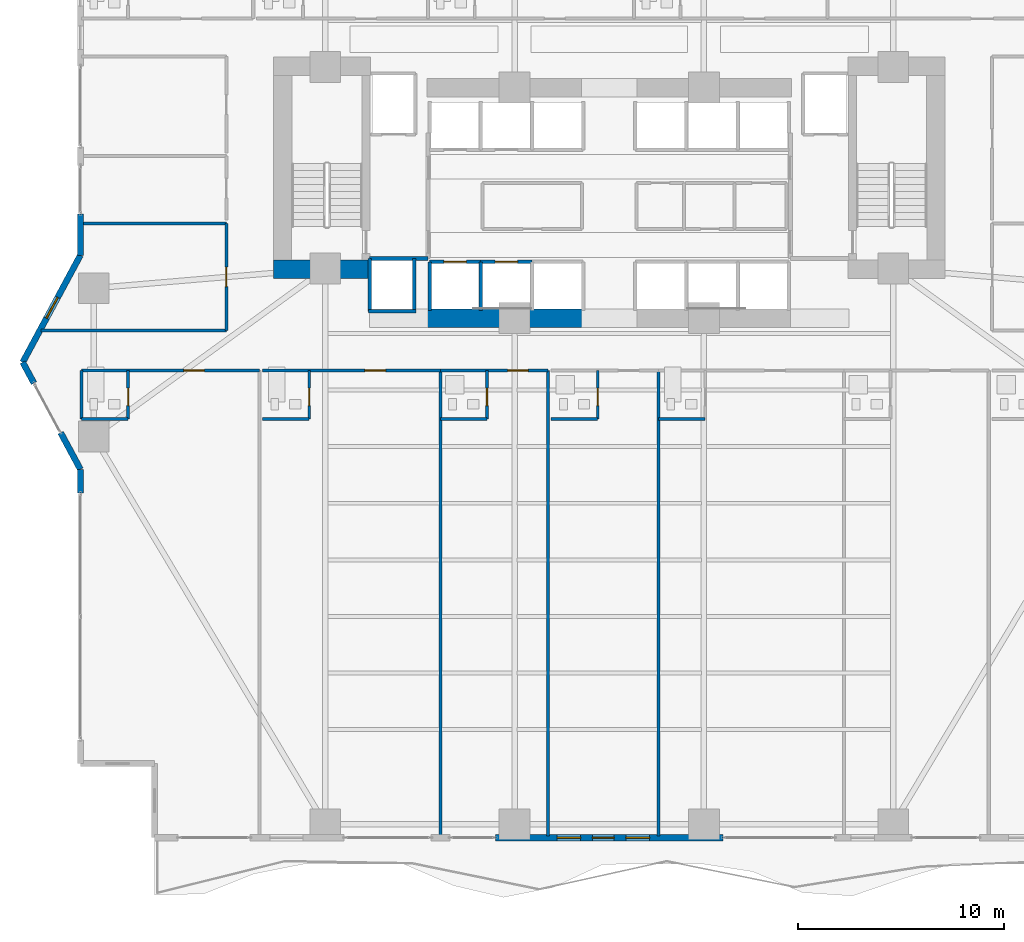
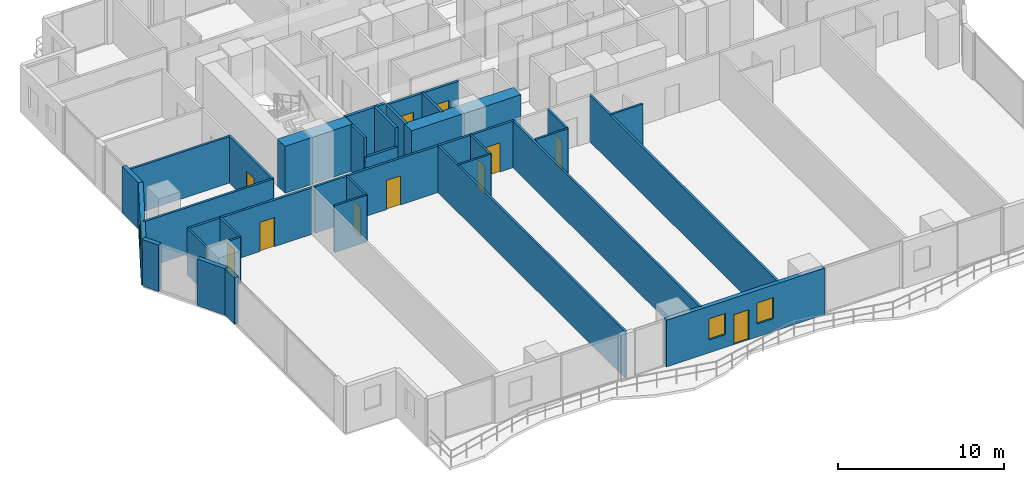
# One storey, part 18 of 29: 35 walls, 11 doors, 3 windows, 14 openings.
"""IFC4 building model written with IfcOpenShell, lengths in metres."""

from ifc_helpers import new_model, si_unit, direction, frame, frame_2d, origin, place, context, subcontext, project, spatial, rectangle, extrude, material, layer, layer_set, type_object, element, fill, save


model = new_model("IFC4")

# Units and contexts
model_context = context("Model", 3, precision=1e-05, world=origin(), true_north=direction((0.0, 1.0)))
body_context = subcontext(model_context, "Body", "Model", "MODEL_VIEW")
ifc_project = project(units=[si_unit("LENGTHUNIT", "METRE"), si_unit("AREAUNIT", "SQUARE_METRE"), si_unit("VOLUMEUNIT", "CUBIC_METRE"), si_unit("PLANEANGLEUNIT", "RADIAN"), si_unit("MASSUNIT", "GRAM", prefix="KILO")], contexts=[model_context])

# Site, building, storey
site_placement = place(None, origin())
site = spatial("IfcSite", under=ifc_project, at=site_placement, CompositionType="ELEMENT")
building_placement = place(site_placement, origin())
building = spatial("IfcBuilding", under=site, at=building_placement, Name="Zuhayl Quay Hotel", CompositionType="ELEMENT")
storey_placement = place(building_placement, frame((0.0, 0.0, 38.550048828125)))
storey = spatial("IfcBuildingStorey", under=building, at=storey_placement, Name="L08", CompositionType="ELEMENT", Elevation=38.550048828125)

# Walls
ifc_material_1 = material(Name="Concrete C70/85", Category="concrete")
ifc_layer_1 = layer(ifc_material_1, 0.89990234375, Name="Concrete C70/85", Category="concrete")
ifc_layer_set_1 = layer_set([ifc_layer_1], Name="Concrete C70/85")
wall_type_1 = type_object("IfcWallType", Name="WL_CORE_900", PredefinedType="SHEAR", material=ifc_layer_set_1)
wall_1_placement = place(storey_placement, frame((-16.31005859375, 4.52001953125, 0.0), z_axis=(0.0, 0.0, 1.0), x_axis=(1.0, 0.0, 0.0)))
element("IfcWall", 1, at=wall_1_placement, inside=storey, type_object=wall_type_1, Name="L08 Core Shear Wall CW_SW", PredefinedType="SHEAR", context=body_context, shape_type="SweptSolid", body=[
    extrude(rectangle(XDim=4.7099609375, YDim=0.89990234375, at=frame_2d((2.35498046875, 0.0))), origin(), (0.0, 0.0, 1.0), 3.4599609375),
])
wall_2_placement = place(storey_placement, frame((-8.85009765625, 2.14990234375, 0.0), z_axis=(0.0, 0.0, 1.0), x_axis=(1.0, 0.0, 0.0)))
element("IfcWall", 2, at=wall_2_placement, inside=storey, type_object=wall_type_1, Name="L08 Core Shear Wall CW_SC_W", PredefinedType="SHEAR", context=body_context, shape_type="SweptSolid", body=[
    extrude(rectangle(XDim=7.60009765625, YDim=0.89990234375, at=frame_2d((3.800048828125, 0.0))), origin(), (0.0, 0.0, 1.0), 3.429931640625),
])
ifc_material_2 = material(Name="Precast concrete C45/55", Category="concrete")
ifc_layer_2 = layer(ifc_material_2, 0.300048828125, Name="Precast concrete C45/55", Category="concrete")
ifc_layer_set_2 = layer_set([ifc_layer_2], Name="Precast concrete C45/55")
wall_type_2 = type_object("IfcWallType", Name="WL_EXT_300", PredefinedType="STANDARD", material=ifc_layer_set_2)
wall_3_placement = place(storey_placement, frame((-25.699951171875, -6.35009765625, 0.0), z_axis=(0.0, 0.0, 1.0), x_axis=(0.0, 1.0, 0.0)))
element("IfcWall", 3, at=wall_3_placement, inside=storey, type_object=wall_type_2, Name="L08 Exterior Precast Wall ENV_L08_E02_EW2", PredefinedType="STANDARD", context=body_context, shape_type="SweptSolid", body=[
    extrude(rectangle(XDim=1.150146484375, YDim=0.300048828125, at=frame_2d((0.5751953125, 0.0))), origin(), (0.0, 0.0, 1.0), 3.429931640625),
])
wall_4_placement = place(storey_placement, frame((-25.699951171875, -5.199951171875, 0.0), z_axis=(0.0, 0.0, 1.0), x_axis=(-0.474121438562, 0.88045946045, 0.0)))
element("IfcWall", 4, at=wall_4_placement, inside=storey, type_object=wall_type_2, Name="L08 Exterior Precast Wall ENV_L08_E03_EW1", PredefinedType="STANDARD", context=body_context, shape_type="SweptSolid", body=[
    extrude(rectangle(XDim=2.0205078125, YDim=0.300048828125, at=frame_2d((1.01025390625, 0.0))), origin(), (0.0, 0.0, 1.0), 3.429931640625),
])
wall_5_placement = place(storey_placement, frame((-27.954833984375, -1.012451171875, 0.0), z_axis=(0.0, 0.0, 1.0), x_axis=(-0.474099823035, 0.880471099922, 0.0)))
element("IfcWall", 5, at=wall_5_placement, inside=storey, type_object=wall_type_2, Name="L08 Exterior Precast Wall ENV_L08_E03_EW2", PredefinedType="STANDARD", context=body_context, shape_type="SweptSolid", body=[
    extrude(rectangle(XDim=1.14990234375, YDim=0.300048828125, at=frame_2d((0.574951171875, 0.0))), origin(), (0.0, 0.0, 1.0), 3.429931640625),
])

# Wall, opening, window
wall_6_placement = place(storey_placement, frame((-28.5, 0.0, 0.0), z_axis=(0.0, 0.0, 1.0), x_axis=(0.474109683532, 0.880465790352, 0.0)))
wall_6 = element("IfcWall", 6, at=wall_6_placement, inside=storey, type_object=wall_type_2, Name="L08 Exterior Precast Wall ENV_L08_E04_EW1", PredefinedType="STANDARD", context=body_context, shape_type="SweptSolid", body=[
    extrude(rectangle(XDim=5.906005859375, YDim=0.300048828125, at=frame_2d((2.953125, 0.0))), origin(), (0.0, 0.0, 1.0), 3.429931640625),
])
opening_1_placement = place(wall_6_placement, frame((2.43212890625, 0.0, 0.949951171875)))
opening_1 = element("IfcOpeningElement", 7, at=opening_1_placement, cuts=wall_6, Name="Opening W01N", PredefinedType="OPENING", context=body_context, shape_type="SweptSolid", body=[
    extrude(rectangle(XDim=1.14990234375, YDim=1.550048828125, at=frame_2d((0.574951171875, 0.77490234375))), frame((0.0, 0.159912109375, 0.0), z_axis=(0.0, -1.0, 0.0), x_axis=(1.0, 0.0, 0.0)), (0.0, 0.0, 1.0), 0.320068359375),
])
ifc_material_3 = material(Name="Dark Ceramic-Fritted Solar Glass", Category="glass")
window_type = type_object("IfcWindowType", Name="WN_NOTCH_1350", PartitioningType="SINGLE_PANEL", PredefinedType="WINDOW", material=ifc_material_3)
window_1_placement = place(opening_1_placement, origin())
window_1 = element("IfcWindow", 8, at=window_1_placement, inside=storey, type_object=window_type, Name="L08 Operable Facade Window 1-1", OverallHeight=1.550048828125, OverallWidth=1.14990234375, PartitioningType="SINGLE_PANEL", PredefinedType="WINDOW", context=body_context, shape_type="SweptSolid", body=[
    extrude(rectangle(XDim=1.14990234375, YDim=1.550048828125, at=frame_2d((0.574951171875, 0.77490234375))), frame((0.0, 0.030029296875, 0.0), z_axis=(0.0, -1.0, 0.0), x_axis=(1.0, 0.0, 0.0)), (0.0, 0.0, 1.0), 0.06005859375),
])
fill(opening_1, window_1)

# Wall
wall_7_placement = place(storey_placement, frame((-25.699951171875, 5.199951171875, 0.0), z_axis=(0.0, 0.0, 1.0), x_axis=(0.0, 1.0, 0.0)))
element("IfcWall", 9, at=wall_7_placement, inside=storey, type_object=wall_type_2, Name="L08 Exterior Precast Wall ENV_L08_E05_EW1", PredefinedType="STANDARD", context=body_context, shape_type="SweptSolid", body=[
    extrude(rectangle(XDim=2.0, YDim=0.300048828125, at=frame_2d((1.0, 0.0))), origin(), (0.0, 0.0, 1.0), 3.429931640625),
])

# Wall, openings, door, windows
wall_8_placement = place(storey_placement, frame((5.52001953125, -23.10009765625, 0.0), z_axis=(0.0, 0.0, 1.0), x_axis=(-1.0, 0.0, 0.0)))
wall_8 = element("IfcWall", 10, at=wall_8_placement, inside=storey, type_object=wall_type_2, Name="L08 Exterior Precast Wall ENV_L08_S_EW3", PredefinedType="STANDARD", context=body_context, shape_type="SweptSolid", body=[
    extrude(rectangle(XDim=11.0400390625, YDim=0.300048828125, at=frame_2d((5.52001953125, 0.0))), origin(), (0.0, 0.0, 1.0), 3.429931640625),
])
opening_2_placement = place(wall_8_placement, frame((5.284912109375, 0.0, 0.0)))
opening_2 = element("IfcOpeningElement", 11, at=opening_2_placement, cuts=wall_8, Name="Opening DG1", PredefinedType="OPENING", context=body_context, shape_type="SweptSolid", body=[
    extrude(rectangle(XDim=1.050048828125, YDim=2.199951171875, at=frame_2d((0.52490234375, 1.10009765625))), frame((0.0, 0.159912109375, 0.0), z_axis=(0.0, -1.0, 0.0), x_axis=(1.0, 0.0, 0.0)), (0.0, 0.0, 1.0), 0.320068359375),
])
opening_3_placement = place(wall_8_placement, frame((3.5625, 0.0, 0.949951171875)))
opening_3 = element("IfcOpeningElement", 12, at=opening_3_placement, cuts=wall_8, Name="Opening W01N", PredefinedType="OPENING", context=body_context, shape_type="SweptSolid", body=[
    extrude(rectangle(XDim=1.14990234375, YDim=1.550048828125, at=frame_2d((0.574951171875, 0.77490234375))), frame((0.0, 0.159912109375, 0.0), z_axis=(0.0, -1.0, 0.0), x_axis=(1.0, 0.0, 0.0)), (0.0, 0.0, 1.0), 0.320068359375),
])
opening_4_placement = place(wall_8_placement, frame((6.907470703125, 0.0, 0.949951171875)))
opening_4 = element("IfcOpeningElement", 13, at=opening_4_placement, cuts=wall_8, Name="Opening W01N", PredefinedType="OPENING", context=body_context, shape_type="SweptSolid", body=[
    extrude(rectangle(XDim=1.14990234375, YDim=1.550048828125, at=frame_2d((0.574951171875, 0.77490234375))), frame((0.0, 0.159912109375, 0.0), z_axis=(0.0, -1.0, 0.0), x_axis=(1.0, 0.0, 0.0)), (0.0, 0.0, 1.0), 0.320068359375),
])
ifc_material_4 = material(Name="Anodised Aluminium and Dark Solar Glass", Category="aluminium")
door_type_1 = type_object("IfcDoorType", Name="DR_EXT_TERR_1050", OperationType="NOTDEFINED", PredefinedType="DOOR", material=ifc_material_4)
door_1_placement = place(opening_2_placement, origin())
door_1 = element("IfcDoor", 14, at=door_1_placement, inside=storey, type_object=door_type_1, Name="L08 South Rippling Balcony Door", OperationType="SINGLE_SWING_RIGHT", OverallHeight=2.199951171875, OverallWidth=1.050048828125, PredefinedType="DOOR", context=body_context, shape_type="SweptSolid", body=[
    extrude(rectangle(XDim=1.050048828125, YDim=2.199951171875, at=frame_2d((0.52490234375, 1.10009765625))), frame((0.0, 0.02490234375, 0.0), z_axis=(0.0, -1.0, 0.0), x_axis=(1.0, 0.0, 0.0)), (0.0, 0.0, 1.0), 0.050048828125),
])
fill(opening_2, door_1)
window_2_placement = place(opening_3_placement, origin())
window_2 = element("IfcWindow", 15, at=window_2_placement, inside=storey, type_object=window_type, Name="L08 Operable Facade Window 3-1", OverallHeight=1.550048828125, OverallWidth=1.14990234375, PartitioningType="SINGLE_PANEL", PredefinedType="WINDOW", context=body_context, shape_type="SweptSolid", body=[
    extrude(rectangle(XDim=1.14990234375, YDim=1.550048828125, at=frame_2d((0.574951171875, 0.77490234375))), frame((0.0, 0.030029296875, 0.0), z_axis=(0.0, -1.0, 0.0), x_axis=(1.0, 0.0, 0.0)), (0.0, 0.0, 1.0), 0.06005859375),
])
fill(opening_3, window_2)
window_3_placement = place(opening_4_placement, origin())
window_3 = element("IfcWindow", 16, at=window_3_placement, inside=storey, type_object=window_type, Name="L08 Operable Facade Window 3-2", OverallHeight=1.550048828125, OverallWidth=1.14990234375, PartitioningType="SINGLE_PANEL", PredefinedType="WINDOW", context=body_context, shape_type="SweptSolid", body=[
    extrude(rectangle(XDim=1.14990234375, YDim=1.550048828125, at=frame_2d((0.574951171875, 0.77490234375))), frame((0.0, 0.030029296875, 0.0), z_axis=(0.0, -1.0, 0.0), x_axis=(1.0, 0.0, 0.0)), (0.0, 0.0, 1.0), 0.06005859375),
])
fill(opening_4, window_3)

# Walls
ifc_material_5 = material(Name="Acoustic Gypsum Partition STC-58")
ifc_layer_3 = layer(ifc_material_5, 0.14990234375, Name="Acoustic Gypsum Partition STC-58")
ifc_layer_set_3 = layer_set([ifc_layer_3], Name="Acoustic Gypsum Partition STC-58")
wall_type_3 = type_object("IfcWallType", Name="WL_PART_150", PredefinedType="PARTITIONING", material=ifc_layer_set_3)
for number, where, z_axis, x_axis, name in (
    (17, (-8.199951171875, -23.02001953125, 0.0), (0.0, 0.0, 1.0), (0.0, 1.0, 0.0), "L08 Partition IW_L08_SU01B_E"),
    (18, (-2.97998046875, -23.02001953125, 0.0), (0.0, 0.0, 1.0), (0.0, 1.0, 0.0), "L08 Partition IW_L08_SU02A_E"),
    (19, (2.39990234375, -23.02001953125, 0.0), (0.0, 0.0, 1.0), (0.0, 1.0, 0.0), "L08 Partition IW_L08_SU02B_E"),
):
    element("IfcWall", number, at=place(storey_placement, frame(where, z_axis=z_axis, x_axis=x_axis)), inside=storey, type_object=wall_type_3, Name=name, PredefinedType="PARTITIONING", context=body_context, shape_type="SweptSolid", body=[
        extrude(rectangle(XDim=22.6201171875, YDim=0.14990234375, at=frame_2d((11.31005859375, 0.0))), origin(), (0.0, 0.0, 1.0), 3.429931640625),
    ])
wall_9_placement = place(storey_placement, frame((-27.60546875, 1.550048828125, 0.0), z_axis=(0.0, 0.0, 1.0), x_axis=(1.0, 0.0, 0.0)))
element("IfcWall", 20, at=wall_9_placement, inside=storey, type_object=wall_type_3, Name="L08 Partition IW_L08_WPROW_1_S", PredefinedType="PARTITIONING", context=body_context, shape_type="SweptSolid", body=[
    extrude(rectangle(XDim=9.00537109375, YDim=0.14990234375, at=frame_2d((4.502685546875, 0.0))), origin(), (0.0, 0.0, 1.0), 3.429931640625),
])
wall_10_placement = place(storey_placement, frame((-25.639892578125, 6.75, 0.0), z_axis=(0.0, 0.0, 1.0), x_axis=(1.0, 0.0, 0.0)))
element("IfcWall", 21, at=wall_10_placement, inside=storey, type_object=wall_type_3, Name="L08 Partition IW_L08_WPROW_1_N", PredefinedType="PARTITIONING", context=body_context, shape_type="SweptSolid", body=[
    extrude(rectangle(XDim=7.039794921875, YDim=0.14990234375, at=frame_2d((3.52001953125, 0.0))), origin(), (0.0, 0.0, 1.0), 3.429931640625),
])

# Wall, opening, door
ifc_layer_4 = layer(ifc_material_5, 0.159912109375, Name="Acoustic Gypsum Partition STC-58")
ifc_layer_set_4 = layer_set([ifc_layer_4], Name="Acoustic Gypsum Partition STC-58")
wall_type_4 = type_object("IfcWallType", Name="WL_PART_CORR_160", PredefinedType="PARTITIONING", material=ifc_layer_set_4)
wall_11_placement = place(storey_placement, frame((-25.639892578125, -0.39990234375, 0.0), z_axis=(0.0, 0.0, 1.0), x_axis=(1.0, 0.0, 0.0)))
wall_11 = element("IfcWall", 22, at=wall_11_placement, inside=storey, type_object=wall_type_4, Name="L08 Partition IW_L08_SU01A_COR", PredefinedType="PARTITIONING", context=body_context, shape_type="SweptSolid", body=[
    extrude(rectangle(XDim=8.639892578125, YDim=0.159912109375, at=frame_2d((4.31982421875, 0.0))), origin(), (0.0, 0.0, 1.0), 3.429931640625),
])
opening_5_placement = place(wall_11_placement, frame((4.969970703125, 0.0, 0.0)))
opening_5 = element("IfcOpeningElement", 23, at=opening_5_placement, cuts=wall_11, Name="Opening D03L", PredefinedType="OPENING", context=body_context, shape_type="SweptSolid", body=[
    extrude(rectangle(XDim=1.0, YDim=2.14990234375, at=frame_2d((0.5, 1.074951171875))), frame((0.0, 0.08984375, 0.0), z_axis=(0.0, -1.0, 0.0), x_axis=(1.0, 0.0, 0.0)), (0.0, 0.0, 1.0), 0.179931640625),
])
ifc_material_6 = material(Name="Solid Walnut Acoustic Fire Door")
door_type_2 = type_object("IfcDoorType", Name="DR_SUITE_1000", OperationType="NOTDEFINED", PredefinedType="DOOR", material=ifc_material_6)
door_2_placement = place(opening_5_placement, origin())
door_2 = element("IfcDoor", 24, at=door_2_placement, inside=storey, type_object=door_type_2, Name="L08 City-View Junior Suite L08-01A Entrance Door", OperationType="SINGLE_SWING_RIGHT", OverallHeight=2.14990234375, OverallWidth=1.0, PredefinedType="DOOR", context=body_context, shape_type="SweptSolid", body=[
    extrude(rectangle(XDim=1.0, YDim=2.14990234375, at=frame_2d((0.5, 1.074951171875))), frame((0.0, 0.02490234375, 0.0), z_axis=(0.0, -1.0, 0.0), x_axis=(1.0, 0.0, 0.0)), (0.0, 0.0, 1.0), 0.050048828125),
])
fill(opening_5, door_2)

wall_12_placement = place(storey_placement, frame((-16.840087890625, -0.39990234375, 0.0), z_axis=(0.0, 0.0, 1.0), x_axis=(1.0, 0.0, 0.0)))
wall_12 = element("IfcWall", 25, at=wall_12_placement, inside=storey, type_object=wall_type_4, Name="L08 Partition IW_L08_SU01B_COR", PredefinedType="PARTITIONING", context=body_context, shape_type="SweptSolid", body=[
    extrude(rectangle(XDim=8.64013671875, YDim=0.159912109375, at=frame_2d((4.320068359375, 0.0))), origin(), (0.0, 0.0, 1.0), 3.429931640625),
])
opening_6_placement = place(wall_12_placement, frame((4.969970703125, 0.0, 0.0)))
opening_6 = element("IfcOpeningElement", 26, at=opening_6_placement, cuts=wall_12, Name="Opening D03L", PredefinedType="OPENING", context=body_context, shape_type="SweptSolid", body=[
    extrude(rectangle(XDim=1.0, YDim=2.14990234375, at=frame_2d((0.5, 1.074951171875))), frame((0.0, 0.08984375, 0.0), z_axis=(0.0, -1.0, 0.0), x_axis=(1.0, 0.0, 0.0)), (0.0, 0.0, 1.0), 0.179931640625),
])
door_3_placement = place(opening_6_placement, origin())
door_3 = element("IfcDoor", 27, at=door_3_placement, inside=storey, type_object=door_type_2, Name="L08 City-View Junior Suite L08-01B Entrance Door", OperationType="SINGLE_SWING_RIGHT", OverallHeight=2.14990234375, OverallWidth=1.0, PredefinedType="DOOR", context=body_context, shape_type="SweptSolid", body=[
    extrude(rectangle(XDim=1.0, YDim=2.14990234375, at=frame_2d((0.5, 1.074951171875))), frame((0.0, 0.02490234375, 0.0), z_axis=(0.0, -1.0, 0.0), x_axis=(1.0, 0.0, 0.0)), (0.0, 0.0, 1.0), 0.050048828125),
])
fill(opening_6, door_3)

wall_13_placement = place(storey_placement, frame((-8.199951171875, -0.39990234375, 0.0), z_axis=(0.0, 0.0, 1.0), x_axis=(1.0, 0.0, 0.0)))
wall_13 = element("IfcWall", 28, at=wall_13_placement, inside=storey, type_object=wall_type_4, Name="L08 Partition IW_L08_SU02A_COR", PredefinedType="PARTITIONING", context=body_context, shape_type="SweptSolid", body=[
    extrude(rectangle(XDim=5.219970703125, YDim=0.159912109375, at=frame_2d((2.60986328125, 0.0))), origin(), (0.0, 0.0, 1.0), 3.429931640625),
])
opening_7_placement = place(wall_13_placement, frame((3.260009765625, 0.0, 0.0)))
opening_7 = element("IfcOpeningElement", 29, at=opening_7_placement, cuts=wall_13, Name="Opening D03L", PredefinedType="OPENING", context=body_context, shape_type="SweptSolid", body=[
    extrude(rectangle(XDim=1.0, YDim=2.14990234375, at=frame_2d((0.5, 1.074951171875))), frame((0.0, 0.08984375, 0.0), z_axis=(0.0, -1.0, 0.0), x_axis=(1.0, 0.0, 0.0)), (0.0, 0.0, 1.0), 0.179931640625),
])
door_4_placement = place(opening_7_placement, origin())
door_4 = element("IfcDoor", 30, at=door_4_placement, inside=storey, type_object=door_type_2, Name="L08 City-View Junior Suite L08-02A Entrance Door", OperationType="SINGLE_SWING_RIGHT", OverallHeight=2.14990234375, OverallWidth=1.0, PredefinedType="DOOR", context=body_context, shape_type="SweptSolid", body=[
    extrude(rectangle(XDim=1.0, YDim=2.14990234375, at=frame_2d((0.5, 1.074951171875))), frame((0.0, 0.02490234375, 0.0), z_axis=(0.0, -1.0, 0.0), x_axis=(1.0, 0.0, 0.0)), (0.0, 0.0, 1.0), 0.050048828125),
])
fill(opening_7, door_4)

wall_14_placement = place(storey_placement, frame((-18.60009765625, 1.550048828125, 0.0), z_axis=(0.0, 0.0, 1.0), x_axis=(0.0, 1.0, 0.0)))
wall_14 = element("IfcWall", 31, at=wall_14_placement, inside=storey, type_object=wall_type_4, Name="L08 Partition IW_L08_WPROW_1_E", PredefinedType="PARTITIONING", context=body_context, shape_type="SweptSolid", body=[
    extrude(rectangle(XDim=5.199951171875, YDim=0.159912109375, at=frame_2d((2.60009765625, 0.0))), origin(), (0.0, 0.0, 1.0), 3.429931640625),
])
opening_8_placement = place(wall_14_placement, frame((2.125, 0.0, 0.0)))
opening_8 = element("IfcOpeningElement", 32, at=opening_8_placement, cuts=wall_14, Name="Opening D03", PredefinedType="OPENING", context=body_context, shape_type="SweptSolid", body=[
    extrude(rectangle(XDim=0.949951171875, YDim=2.14990234375, at=frame_2d((0.47509765625, 1.074951171875))), frame((0.0, 0.08984375, 0.0), z_axis=(0.0, -1.0, 0.0), x_axis=(1.0, 0.0, 0.0)), (0.0, 0.0, 1.0), 0.179931640625),
])
door_type_3 = type_object("IfcDoorType", Name="DR_SUITE_950", OperationType="NOTDEFINED", PredefinedType="DOOR", material=ifc_material_6)
door_5_placement = place(opening_8_placement, origin())
door_5 = element("IfcDoor", 33, at=door_5_placement, inside=storey, type_object=door_type_3, Name="L08 West Prow Office L08 Door", OperationType="SINGLE_SWING_LEFT", OverallHeight=2.14990234375, OverallWidth=0.949951171875, PredefinedType="DOOR", context=body_context, shape_type="SweptSolid", body=[
    extrude(rectangle(XDim=0.949951171875, YDim=2.14990234375, at=frame_2d((0.47509765625, 1.074951171875))), frame((0.0, 0.02490234375, 0.0), z_axis=(0.0, -1.0, 0.0), x_axis=(1.0, 0.0, 0.0)), (0.0, 0.0, 1.0), 0.050048828125),
])
fill(opening_8, door_5)

ifc_material_7 = material(Name="Moisture-Resistant Sanitarychase Gypsum")
ifc_layer_5 = layer(ifc_material_7, 0.135009765625, Name="Moisture-Resistant Sanitarychase Gypsum")
ifc_layer_set_5 = layer_set([ifc_layer_5], Name="Moisture-Resistant Sanitarychase Gypsum")
wall_type_5 = type_object("IfcWallType", Name="WL_PART_PLUMB_150", PredefinedType="PLUMBINGWALL", material=ifc_layer_set_5)
wall_15_placement = place(storey_placement, frame((-23.3798828125, -2.760009765625, 0.0), z_axis=(0.0, 0.0, 1.0), x_axis=(0.0, 1.0, 0.0)))
wall_15 = element("IfcWall", 34, at=wall_15_placement, inside=storey, type_object=wall_type_5, Name="L08 Partition IW_L08_SU01A_BE", PredefinedType="PLUMBINGWALL", context=body_context, shape_type="SweptSolid", body=[
    extrude(rectangle(XDim=2.360107421875, YDim=0.135009765625, at=frame_2d((1.18017578125, 0.0))), origin(), (0.0, 0.0, 1.0), 3.429931640625),
])
opening_9_placement = place(wall_15_placement, frame((0.64990234375, 0.0, 0.0)))
opening_9 = element("IfcOpeningElement", 35, at=opening_9_placement, cuts=wall_15, Name="Opening D04", PredefinedType="OPENING", context=body_context, shape_type="SweptSolid", body=[
    extrude(rectangle(XDim=0.85009765625, YDim=2.10009765625, at=frame_2d((0.425048828125, 1.050048828125))), frame((0.0, 0.077392578125, 0.0), z_axis=(0.0, -1.0, 0.0), x_axis=(1.0, 0.0, 0.0)), (0.0, 0.0, 1.0), 0.155029296875),
])
ifc_material_8 = material(Name="Moisture-Resistant Walnut Veneer")
door_type_4 = type_object("IfcDoorType", Name="DR_BATH_850", OperationType="NOTDEFINED", PredefinedType="DOOR", material=ifc_material_8)
door_6_placement = place(opening_9_placement, origin())
door_6 = element("IfcDoor", 36, at=door_6_placement, inside=storey, type_object=door_type_4, Name="L08 City-View Junior Suite L08-01A En-Suite Door", OperationType="SINGLE_SWING_LEFT", OverallHeight=2.10009765625, OverallWidth=0.85009765625, PredefinedType="DOOR", context=body_context, shape_type="SweptSolid", body=[
    extrude(rectangle(XDim=0.85009765625, YDim=2.10009765625, at=frame_2d((0.425048828125, 1.050048828125))), frame((0.0, 0.02490234375, 0.0), z_axis=(0.0, -1.0, 0.0), x_axis=(1.0, 0.0, 0.0)), (0.0, 0.0, 1.0), 0.050048828125),
])
fill(opening_9, door_6)

wall_16_placement = place(storey_placement, frame((-14.580078125, -2.760009765625, 0.0), z_axis=(0.0, 0.0, 1.0), x_axis=(0.0, 1.0, 0.0)))
wall_16 = element("IfcWall", 37, at=wall_16_placement, inside=storey, type_object=wall_type_5, Name="L08 Partition IW_L08_SU01B_BE", PredefinedType="PLUMBINGWALL", context=body_context, shape_type="SweptSolid", body=[
    extrude(rectangle(XDim=2.360107421875, YDim=0.135009765625, at=frame_2d((1.18017578125, 0.0))), origin(), (0.0, 0.0, 1.0), 3.429931640625),
])
opening_10_placement = place(wall_16_placement, frame((0.64990234375, 0.0, 0.0)))
opening_10 = element("IfcOpeningElement", 38, at=opening_10_placement, cuts=wall_16, Name="Opening D04", PredefinedType="OPENING", context=body_context, shape_type="SweptSolid", body=[
    extrude(rectangle(XDim=0.85009765625, YDim=2.10009765625, at=frame_2d((0.425048828125, 1.050048828125))), frame((0.0, 0.077392578125, 0.0), z_axis=(0.0, -1.0, 0.0), x_axis=(1.0, 0.0, 0.0)), (0.0, 0.0, 1.0), 0.155029296875),
])
door_7_placement = place(opening_10_placement, origin())
door_7 = element("IfcDoor", 39, at=door_7_placement, inside=storey, type_object=door_type_4, Name="L08 City-View Junior Suite L08-01B En-Suite Door", OperationType="SINGLE_SWING_LEFT", OverallHeight=2.10009765625, OverallWidth=0.85009765625, PredefinedType="DOOR", context=body_context, shape_type="SweptSolid", body=[
    extrude(rectangle(XDim=0.85009765625, YDim=2.10009765625, at=frame_2d((0.425048828125, 1.050048828125))), frame((0.0, 0.02490234375, 0.0), z_axis=(0.0, -1.0, 0.0), x_axis=(1.0, 0.0, 0.0)), (0.0, 0.0, 1.0), 0.050048828125),
])
fill(opening_10, door_7)

wall_17_placement = place(storey_placement, frame((-5.93994140625, -2.760009765625, 0.0), z_axis=(0.0, 0.0, 1.0), x_axis=(0.0, 1.0, 0.0)))
wall_17 = element("IfcWall", 40, at=wall_17_placement, inside=storey, type_object=wall_type_5, Name="L08 Partition IW_L08_SU02A_BE", PredefinedType="PLUMBINGWALL", context=body_context, shape_type="SweptSolid", body=[
    extrude(rectangle(XDim=2.360107421875, YDim=0.135009765625, at=frame_2d((1.18017578125, 0.0))), origin(), (0.0, 0.0, 1.0), 3.429931640625),
])
opening_11_placement = place(wall_17_placement, frame((0.64990234375, 0.0, 0.0)))
opening_11 = element("IfcOpeningElement", 41, at=opening_11_placement, cuts=wall_17, Name="Opening D04", PredefinedType="OPENING", context=body_context, shape_type="SweptSolid", body=[
    extrude(rectangle(XDim=0.85009765625, YDim=2.10009765625, at=frame_2d((0.425048828125, 1.050048828125))), frame((0.0, 0.077392578125, 0.0), z_axis=(0.0, -1.0, 0.0), x_axis=(1.0, 0.0, 0.0)), (0.0, 0.0, 1.0), 0.155029296875),
])
door_8_placement = place(opening_11_placement, origin())
door_8 = element("IfcDoor", 42, at=door_8_placement, inside=storey, type_object=door_type_4, Name="L08 City-View Junior Suite L08-02A En-Suite Door", OperationType="SINGLE_SWING_LEFT", OverallHeight=2.10009765625, OverallWidth=0.85009765625, PredefinedType="DOOR", context=body_context, shape_type="SweptSolid", body=[
    extrude(rectangle(XDim=0.85009765625, YDim=2.10009765625, at=frame_2d((0.425048828125, 1.050048828125))), frame((0.0, 0.02490234375, 0.0), z_axis=(0.0, -1.0, 0.0), x_axis=(1.0, 0.0, 0.0)), (0.0, 0.0, 1.0), 0.050048828125),
])
fill(opening_11, door_8)

wall_18_placement = place(storey_placement, frame((-0.56005859375, -2.760009765625, 0.0), z_axis=(0.0, 0.0, 1.0), x_axis=(0.0, 1.0, 0.0)))
wall_18 = element("IfcWall", 43, at=wall_18_placement, inside=storey, type_object=wall_type_5, Name="L08 Partition IW_L08_SU02B_BE", PredefinedType="PLUMBINGWALL", context=body_context, shape_type="SweptSolid", body=[
    extrude(rectangle(XDim=2.360107421875, YDim=0.135009765625, at=frame_2d((1.18017578125, 0.0))), origin(), (0.0, 0.0, 1.0), 3.429931640625),
])
opening_12_placement = place(wall_18_placement, frame((0.64990234375, 0.0, 0.0)))
opening_12 = element("IfcOpeningElement", 44, at=opening_12_placement, cuts=wall_18, Name="Opening D04", PredefinedType="OPENING", context=body_context, shape_type="SweptSolid", body=[
    extrude(rectangle(XDim=0.85009765625, YDim=2.10009765625, at=frame_2d((0.425048828125, 1.050048828125))), frame((0.0, 0.077392578125, 0.0), z_axis=(0.0, -1.0, 0.0), x_axis=(1.0, 0.0, 0.0)), (0.0, 0.0, 1.0), 0.155029296875),
])
door_9_placement = place(opening_12_placement, origin())
door_9 = element("IfcDoor", 45, at=door_9_placement, inside=storey, type_object=door_type_4, Name="L08 City-View Junior Suite L08-02B En-Suite Door", OperationType="SINGLE_SWING_LEFT", OverallHeight=2.10009765625, OverallWidth=0.85009765625, PredefinedType="DOOR", context=body_context, shape_type="SweptSolid", body=[
    extrude(rectangle(XDim=0.85009765625, YDim=2.10009765625, at=frame_2d((0.425048828125, 1.050048828125))), frame((0.0, 0.02490234375, 0.0), z_axis=(0.0, -1.0, 0.0), x_axis=(1.0, 0.0, 0.0)), (0.0, 0.0, 1.0), 0.050048828125),
])
fill(opening_12, door_9)

# Walls
wall_19_placement = place(storey_placement, frame((-25.639892578125, -2.760009765625, 0.0), z_axis=(0.0, 0.0, 1.0), x_axis=(1.0, 0.0, 0.0)))
element("IfcWall", 46, at=wall_19_placement, inside=storey, type_object=wall_type_5, Name="L08 Partition IW_L08_SU01A_BS", PredefinedType="PLUMBINGWALL", context=body_context, shape_type="SweptSolid", body=[
    extrude(rectangle(XDim=2.260009765625, YDim=0.135009765625, at=frame_2d((1.1298828125, 0.0))), origin(), (0.0, 0.0, 1.0), 3.429931640625),
])
wall_20_placement = place(storey_placement, frame((-25.639892578125, -2.760009765625, 0.0), z_axis=(0.0, 0.0, 1.0), x_axis=(0.0, 1.0, 0.0)))
element("IfcWall", 47, at=wall_20_placement, inside=storey, type_object=wall_type_5, Name="L08 Partition IW_L08_SU01A_BW", PredefinedType="PLUMBINGWALL", context=body_context, shape_type="SweptSolid", body=[
    extrude(rectangle(XDim=2.360107421875, YDim=0.135009765625, at=frame_2d((1.18017578125, 0.0))), origin(), (0.0, 0.0, 1.0), 3.429931640625),
])
for number, where, z_axis, x_axis, name in (
    (48, (-16.840087890625, -2.760009765625, 0.0), (0.0, 0.0, 1.0), (1.0, 0.0, 0.0), "L08 Partition IW_L08_SU01B_BS"),
    (49, (-8.199951171875, -2.760009765625, 0.0), (0.0, 0.0, 1.0), (1.0, 0.0, 0.0), "L08 Partition IW_L08_SU02A_BS"),
    (50, (-2.820068359375, -2.760009765625, 0.0), (0.0, 0.0, 1.0), (1.0, 0.0, 0.0), "L08 Partition IW_L08_SU02B_BS"),
    (51, (2.39990234375, -2.760009765625, 0.0), (0.0, 0.0, 1.0), (1.0, 0.0, 0.0), "L08 Partition IW_L08_SU03_BS"),
):
    element("IfcWall", number, at=place(storey_placement, frame(where, z_axis=z_axis, x_axis=x_axis)), inside=storey, type_object=wall_type_5, Name=name, PredefinedType="PLUMBINGWALL", context=body_context, shape_type="SweptSolid", body=[
        extrude(rectangle(XDim=2.260009765625, YDim=0.135009765625, at=frame_2d((1.1298828125, 0.0))), origin(), (0.0, 0.0, 1.0), 3.429931640625),
    ])

# Wall, opening, door
ifc_material_9 = material(Name="Gypsum Fireboard Assembly EI-90")
ifc_layer_6 = layer(ifc_material_9, 0.1650390625, Name="Gypsum Fireboard Assembly EI-90")
ifc_layer_set_6 = layer_set([ifc_layer_6], Name="Gypsum Fireboard Assembly EI-90")
wall_type_6 = type_object("IfcWallType", Name="WL_PART_SHAFT_160", PredefinedType="PARTITIONING", material=ifc_layer_set_6)
wall_21_placement = place(storey_placement, frame((-8.72998046875, 4.8798828125, 0.0), z_axis=(0.0, 0.0, 1.0), x_axis=(1.0, 0.0, 0.0)))
wall_21 = element("IfcWall", 52, at=wall_21_placement, inside=storey, type_object=wall_type_6, Name="L08 Partition IW_L08_SH_LP1_F", PredefinedType="PARTITIONING", context=body_context, shape_type="SweptSolid", body=[
    extrude(rectangle(XDim=2.47998046875, YDim=0.1650390625, at=frame_2d((1.239990234375, 0.0))), origin(), (0.0, 0.0, 1.0), 3.429931640625),
])
opening_13_placement = place(wall_21_placement, frame((0.68994140625, 0.0, 0.0)))
opening_13 = element("IfcOpeningElement", 53, at=opening_13_placement, cuts=wall_21, Name="Opening LD1", PredefinedType="OPENING", context=body_context, shape_type="SweptSolid", body=[
    extrude(rectangle(XDim=1.10009765625, YDim=2.25, at=frame_2d((0.550048828125, 1.125))), frame((0.0, 0.092529296875, 0.0), z_axis=(0.0, -1.0, 0.0), x_axis=(1.0, 0.0, 0.0)), (0.0, 0.0, 1.0), 0.18505859375),
])
ifc_material_10 = material(Name="Brushed Stainless Steel", Category="steel")
door_type_5 = type_object("IfcDoorType", Name="DR_LIFT_PASS_1100", OperationType="SLIDING_TO_LEFT", PredefinedType="DOOR", material=ifc_material_10)
door_10_placement = place(opening_13_placement, origin())
door_10 = element("IfcDoor", 54, at=door_10_placement, inside=storey, type_object=door_type_5, Name="L08 Lift LP1 Sliding Landing Door", OperationType="SLIDING_TO_LEFT", OverallHeight=2.25, OverallWidth=1.10009765625, PredefinedType="DOOR", context=body_context, shape_type="SweptSolid", body=[
    extrude(rectangle(XDim=1.10009765625, YDim=2.25, at=frame_2d((0.550048828125, 1.125))), frame((0.0, 0.02490234375, 0.0), z_axis=(0.0, -1.0, 0.0), x_axis=(1.0, 0.0, 0.0)), (0.0, 0.0, 1.0), 0.050048828125),
])
fill(opening_13, door_10)

wall_22_placement = place(storey_placement, frame((-6.25, 4.8798828125, 0.0), z_axis=(0.0, 0.0, 1.0), x_axis=(1.0, 0.0, 0.0)))
wall_22 = element("IfcWall", 55, at=wall_22_placement, inside=storey, type_object=wall_type_6, Name="L08 Partition IW_L08_SH_LP2_F", PredefinedType="PARTITIONING", context=body_context, shape_type="SweptSolid", body=[
    extrude(rectangle(XDim=2.5, YDim=0.1650390625, at=frame_2d((1.25, 0.0))), origin(), (0.0, 0.0, 1.0), 3.429931640625),
])
opening_14_placement = place(wall_22_placement, frame((0.699951171875, 0.0, 0.0)))
opening_14 = element("IfcOpeningElement", 56, at=opening_14_placement, cuts=wall_22, Name="Opening LD1", PredefinedType="OPENING", context=body_context, shape_type="SweptSolid", body=[
    extrude(rectangle(XDim=1.10009765625, YDim=2.25, at=frame_2d((0.550048828125, 1.125))), frame((0.0, 0.092529296875, 0.0), z_axis=(0.0, -1.0, 0.0), x_axis=(1.0, 0.0, 0.0)), (0.0, 0.0, 1.0), 0.18505859375),
])
door_11_placement = place(opening_14_placement, origin())
door_11 = element("IfcDoor", 57, at=door_11_placement, inside=storey, type_object=door_type_5, Name="L08 Lift LP2 Sliding Landing Door", OperationType="SLIDING_TO_LEFT", OverallHeight=2.25, OverallWidth=1.10009765625, PredefinedType="DOOR", context=body_context, shape_type="SweptSolid", body=[
    extrude(rectangle(XDim=1.10009765625, YDim=2.25, at=frame_2d((0.550048828125, 1.125))), frame((0.0, 0.02490234375, 0.0), z_axis=(0.0, -1.0, 0.0), x_axis=(1.0, 0.0, 0.0)), (0.0, 0.0, 1.0), 0.050048828125),
])
fill(opening_14, door_11)

# Walls
for number, where, z_axis, x_axis, name in (
    (58, (-8.72998046875, 2.52001953125, 0.0), (0.0, 0.0, 1.0), (0.0, 1.0, 0.0), "L08 Partition IW_L08_SH_LP1_W"),
    (59, (-6.25, 2.52001953125, 0.0), (0.0, 0.0, 1.0), (0.0, 1.0, 0.0), "L08 Partition IW_L08_SH_LP1_E"),
):
    element("IfcWall", number, at=place(storey_placement, frame(where, z_axis=z_axis, x_axis=x_axis)), inside=storey, type_object=wall_type_6, Name=name, PredefinedType="PARTITIONING", context=body_context, shape_type="SweptSolid", body=[
        extrude(rectangle(XDim=2.35986328125, YDim=0.1650390625, at=frame_2d((1.179931640625, 0.0))), origin(), (0.0, 0.0, 1.0), 3.429931640625),
    ])
wall_23_placement = place(storey_placement, frame((-11.6298828125, 2.469970703125, 0.0), z_axis=(0.0, 0.0, 1.0), x_axis=(0.0, 1.0, 0.0)))
element("IfcWall", 60, at=wall_23_placement, inside=storey, type_object=wall_type_6, Name="L08 Partition IW_L08_RISER_W", PredefinedType="PARTITIONING", context=body_context, shape_type="SweptSolid", body=[
    extrude(rectangle(XDim=2.580078125, YDim=0.1650390625, at=frame_2d((1.2900390625, 0.0))), origin(), (0.0, 0.0, 1.0), 3.429931640625),
])
wall_24_placement = place(storey_placement, frame((-11.7099609375, 2.469970703125, 0.0), z_axis=(0.0, 0.0, 1.0), x_axis=(1.0, 0.0, 0.0)))
element("IfcWall", 61, at=wall_24_placement, inside=storey, type_object=wall_type_6, Name="L08 Partition IW_L08_RISER_S", PredefinedType="PARTITIONING", context=body_context, shape_type="SweptSolid", body=[
    extrude(rectangle(XDim=2.31005859375, YDim=0.1650390625, at=frame_2d((1.155029296875, 0.0))), origin(), (0.0, 0.0, 1.0), 2.030029296875),
])
ifc_layer_7 = layer(ifc_material_9, 0.179931640625, Name="Gypsum Fireboard Assembly EI-90")
ifc_layer_set_7 = layer_set([ifc_layer_7], Name="Gypsum Fireboard Assembly EI-90")
wall_type_7 = type_object("IfcWallType", Name="WL_PART_SHAFT_180", PredefinedType="PARTITIONING", material=ifc_layer_set_7)
wall_25_placement = place(storey_placement, frame((-9.469970703125, 2.449951171875, 0.0), z_axis=(0.0, 0.0, 1.0), x_axis=(0.0, 1.0, 0.0)))
element("IfcWall", 62, at=wall_25_placement, inside=storey, type_object=wall_type_7, Name="L08 Partition IW_L08_RISER_E", PredefinedType="PARTITIONING", context=body_context, shape_type="SweptSolid", body=[
    extrude(rectangle(XDim=2.60009765625, YDim=0.179931640625, at=frame_2d((1.300048828125, 0.0))), origin(), (0.0, 0.0, 1.0), 3.429931640625),
])
ifc_material_11 = material(Name="Gypsum Fireboard Assembly EI-120")
ifc_layer_8 = layer(ifc_material_11, 0.199951171875, Name="Gypsum Fireboard Assembly EI-120")
ifc_layer_set_8 = layer_set([ifc_layer_8], Name="Gypsum Fireboard Assembly EI-120")
wall_type_8 = type_object("IfcWallType", Name="WL_PART_SHAFT_200", PredefinedType="PARTITIONING", material=ifc_layer_set_8)
wall_26_placement = place(storey_placement, frame((-11.64990234375, 5.050048828125, 0.0), z_axis=(0.0, 0.0, 1.0), x_axis=(1.0, 0.0, 0.0)))
element("IfcWall", 63, at=wall_26_placement, inside=storey, type_object=wall_type_8, Name="L08 Partition IW_L08_FSAE_W_S", PredefinedType="PARTITIONING", context=body_context, shape_type="SweptSolid", body=[
    extrude(rectangle(XDim=2.849853515625, YDim=0.199951171875, at=frame_2d((1.4248046875, 0.0))), origin(), (0.0, 0.0, 1.0), 3.429931640625),
])

save(model, "model.ifc")
